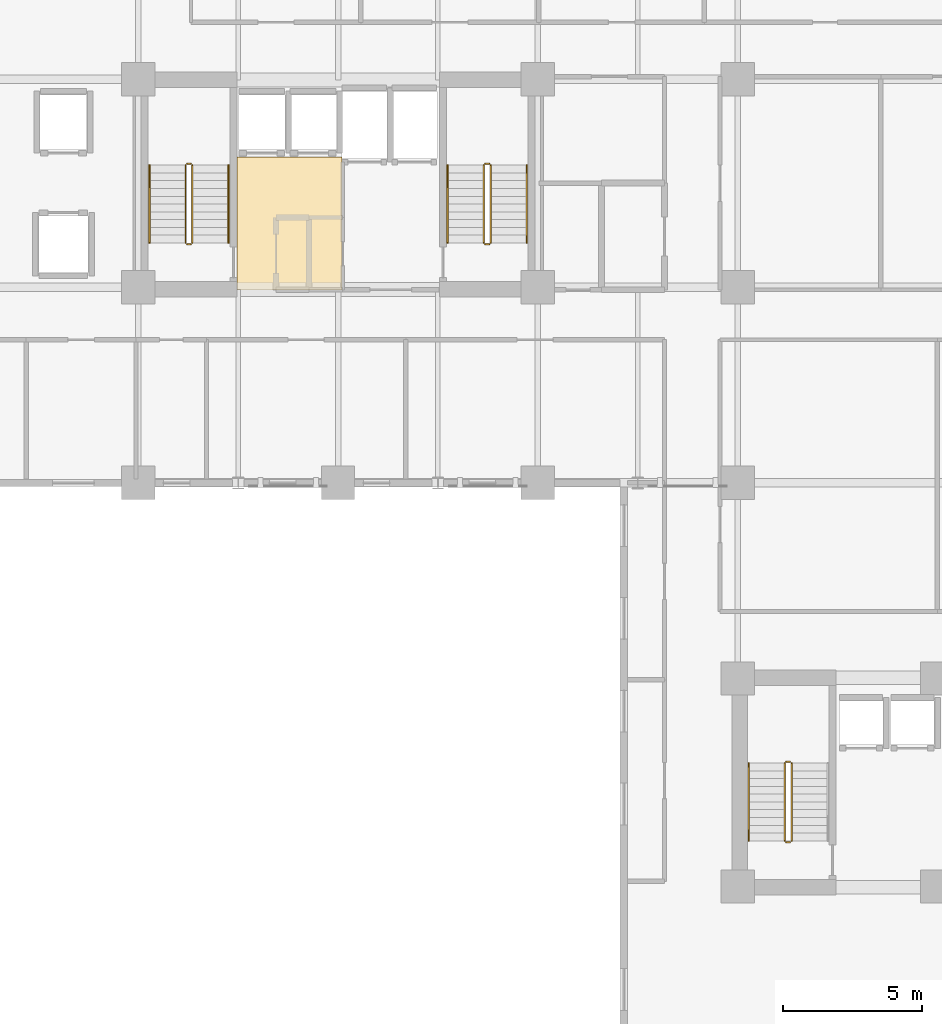
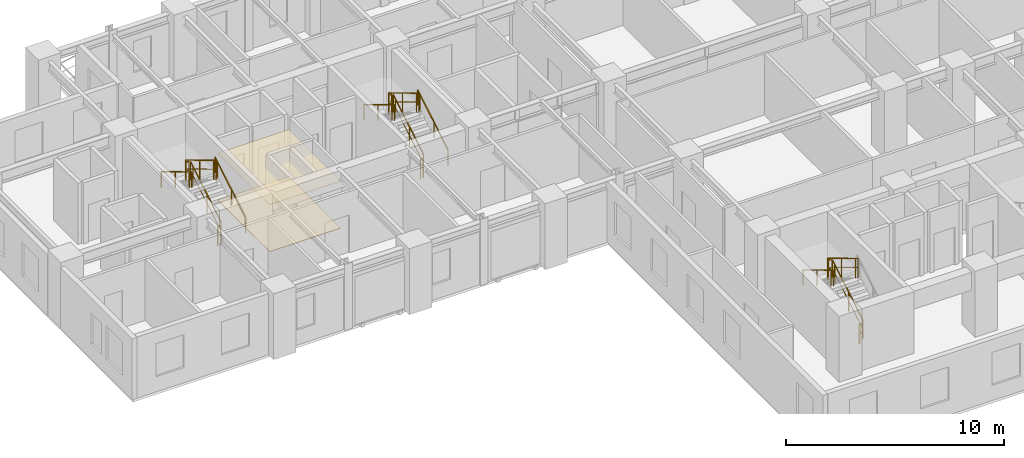
# One storey, part 9 of 11: 17 railings, 2 coverings.
"""IFC4 building model written with IfcOpenShell, lengths in metres."""

from ifc_helpers import new_model, si_unit, direction, frame, origin, origin_2d, place, context, subcontext, project, spatial, rectangle, extrude, source, transform, mapped, material, layer, layer_set, type_object, element, save


model = new_model("IFC4")

# Units and contexts
model_context = context("Model", 3, precision=1e-05, world=origin(), true_north=direction((0.0, 1.0)))
body_context = subcontext(model_context, "Body", "Model", "MODEL_VIEW")
ifc_project = project(units=[si_unit("LENGTHUNIT", "METRE"), si_unit("AREAUNIT", "SQUARE_METRE"), si_unit("VOLUMEUNIT", "CUBIC_METRE"), si_unit("PLANEANGLEUNIT", "RADIAN"), si_unit("MASSUNIT", "GRAM", prefix="KILO")], contexts=[model_context])

# Site, building, storey
site_placement = place(None, origin())
site = spatial("IfcSite", under=ifc_project, at=site_placement, CompositionType="ELEMENT")
building_placement = place(site_placement, origin())
building = spatial("IfcBuilding", under=site, at=building_placement, Name="Kaliganga Portal Commons", CompositionType="ELEMENT")
storey_placement = place(building_placement, frame((0.0, 0.0, 111.89990234375)))
storey = spatial("IfcBuildingStorey", under=building, at=storey_placement, Name="L28", CompositionType="ELEMENT", Elevation=111.89990234375)

# Railings
ifc_material_1 = material(Name="Galvanized Painted Steel Balustrade", Category="steel")
railing_type_1 = type_object("IfcRailingType", Name="RLG-STAIR-GRD", PredefinedType="GUARDRAIL", material=ifc_material_1)
railing_1_placement = place(storey_placement, frame((16.35009765625, 30.25, 0.168212890625)))
element("IfcRailing", 1, at=railing_1_placement, inside=storey, type_object=railing_type_1, Name="L28 ST-A1 stair guard 1", PredefinedType="GUARDRAIL", context=body_context, shape_type="SweptSolid", body=[
    extrude(rectangle(XDim=0.048095703125, YDim=0.048095703125, at=origin_2d()), frame((0.0, 0.0, 1.072021484375), z_axis=(0.0, 0.857242210791, 0.514913383045), x_axis=(-1.0, 0.0, 0.0)), (0.0, 0.0, 1.0), 3.266357421875),
    extrude(rectangle(XDim=0.028076171875, YDim=0.028076171875, at=origin_2d()), frame((0.0, 0.0, 0.572021484375), z_axis=(0.0, 0.857242210791, 0.514913383045), x_axis=(-1.0, 0.0, 0.0)), (0.0, 0.0, 1.0), 3.266357421875),
    extrude(rectangle(XDim=0.0419921875, YDim=0.0419921875, at=origin_2d()), origin(), (0.0, 0.0, 1.0), 1.052001953125),
    extrude(rectangle(XDim=0.0419921875, YDim=0.0419921875, at=origin_2d()), frame((0.0, 1.285888671875, 0.7724609375)), (0.0, 0.0, 1.0), 1.052001953125),
    extrude(rectangle(XDim=0.0419921875, YDim=0.0419921875, at=origin_2d()), frame((0.0, 2.57177734375, 1.544677734375)), (0.0, 0.0, 1.0), 1.052001953125),
    extrude(rectangle(XDim=0.0419921875, YDim=0.0419921875, at=origin_2d()), frame((0.0, 2.800048828125, 1.681884765625)), (0.0, 0.0, 1.0), 1.052001953125),
])
railing_2_placement = place(storey_placement, frame((16.300048828125, 33.10009765625, 1.85009765625)))
element("IfcRailing", 2, at=railing_2_placement, inside=storey, type_object=railing_type_1, Name="L28 ST-A1 stair guard 2", PredefinedType="GUARDRAIL", context=body_context, shape_type="SweptSolid", body=[
    extrude(rectangle(XDim=0.048095703125, YDim=0.048095703125, at=origin_2d()), frame((0.0, 0.0, 1.076171875), z_axis=(-1.0, 0.0, 0.0), x_axis=(0.0, -1.0, 0.0)), (0.0, 0.0, 1.0), 0.150146484375),
    extrude(rectangle(XDim=0.028076171875, YDim=0.028076171875, at=origin_2d()), frame((0.0, 0.0, 0.572021484375), z_axis=(-1.0, 0.0, 0.0), x_axis=(0.0, -1.0, 0.0)), (0.0, 0.0, 1.0), 0.150146484375),
    extrude(rectangle(XDim=0.0419921875, YDim=0.0419921875, at=origin_2d()), origin(), (0.0, 0.0, 1.0), 1.052001953125),
    extrude(rectangle(XDim=0.0419921875, YDim=0.0419921875, at=origin_2d()), frame((-0.150146484375, 0.0, 0.0)), (0.0, 0.0, 1.0), 1.052001953125),
])
railing_3_placement = place(storey_placement, frame((16.10009765625, 33.050048828125, 2.018310546875)))
element("IfcRailing", 3, at=railing_3_placement, inside=storey, type_object=railing_type_1, Name="L28 ST-A1 stair guard 3", PredefinedType="GUARDRAIL", context=body_context, shape_type="SweptSolid", body=[
    extrude(rectangle(XDim=0.048095703125, YDim=0.048095703125, at=origin_2d()), frame((0.0, 0.0, 1.072021484375), z_axis=(0.0, -0.857242210791, 0.514913383045), x_axis=(1.0, 0.0, 0.0)), (0.0, 0.0, 1.0), 3.266357421875),
    extrude(rectangle(XDim=0.028076171875, YDim=0.028076171875, at=origin_2d()), frame((0.0, 0.0, 0.572021484375), z_axis=(0.0, -0.857242210791, 0.514913383045), x_axis=(1.0, 0.0, 0.0)), (0.0, 0.0, 1.0), 3.266357421875),
    extrude(rectangle(XDim=0.0419921875, YDim=0.0419921875, at=origin_2d()), origin(), (0.0, 0.0, 1.0), 1.052001953125),
    extrude(rectangle(XDim=0.0419921875, YDim=0.0419921875, at=origin_2d()), frame((0.0, -1.285888671875, 0.7724609375)), (0.0, 0.0, 1.0), 1.052001953125),
    extrude(rectangle(XDim=0.0419921875, YDim=0.0419921875, at=origin_2d()), frame((0.0, -2.57177734375, 1.544677734375)), (0.0, 0.0, 1.0), 1.052001953125),
    extrude(rectangle(XDim=0.0419921875, YDim=0.0419921875, at=origin_2d()), frame((0.0, -2.800048828125, 1.681884765625)), (0.0, 0.0, 1.0), 1.052001953125),
])
railing_4_placement = place(storey_placement, frame((16.300048828125, 30.199951171875, 0.0)))
element("IfcRailing", 4, at=railing_4_placement, inside=storey, type_object=railing_type_1, Name="L28 ST-A1 stair guard 4", PredefinedType="GUARDRAIL", context=body_context, shape_type="SweptSolid", body=[
    extrude(rectangle(XDim=0.048095703125, YDim=0.048095703125, at=origin_2d()), frame((0.0, 0.0, 1.076171875), z_axis=(-1.0, 0.0, 0.0), x_axis=(0.0, -1.0, 0.0)), (0.0, 0.0, 1.0), 0.150146484375),
    extrude(rectangle(XDim=0.028076171875, YDim=0.028076171875, at=origin_2d()), frame((0.0, 0.0, 0.572021484375), z_axis=(-1.0, 0.0, 0.0), x_axis=(0.0, -1.0, 0.0)), (0.0, 0.0, 1.0), 0.150146484375),
    extrude(rectangle(XDim=0.0419921875, YDim=0.0419921875, at=origin_2d()), origin(), (0.0, 0.0, 1.0), 1.052001953125),
    extrude(rectangle(XDim=0.0419921875, YDim=0.0419921875, at=origin_2d()), frame((-0.150146484375, 0.0, 0.0)), (0.0, 0.0, 1.0), 1.052001953125),
])
railing_5_placement = place(storey_placement, frame((27.10009765625, 30.25, 0.168212890625)))
element("IfcRailing", 5, at=railing_5_placement, inside=storey, type_object=railing_type_1, Name="L28 ST-A2 stair guard 1", PredefinedType="GUARDRAIL", context=body_context, shape_type="SweptSolid", body=[
    extrude(rectangle(XDim=0.048095703125, YDim=0.048095703125, at=origin_2d()), frame((0.0, 0.0, 1.072021484375), z_axis=(0.0, 0.857242210791, 0.514913383045), x_axis=(-1.0, 0.0, 0.0)), (0.0, 0.0, 1.0), 3.266357421875),
    extrude(rectangle(XDim=0.028076171875, YDim=0.028076171875, at=origin_2d()), frame((0.0, 0.0, 0.572021484375), z_axis=(0.0, 0.857242210791, 0.514913383045), x_axis=(-1.0, 0.0, 0.0)), (0.0, 0.0, 1.0), 3.266357421875),
    extrude(rectangle(XDim=0.0419921875, YDim=0.0419921875, at=origin_2d()), origin(), (0.0, 0.0, 1.0), 1.052001953125),
    extrude(rectangle(XDim=0.0419921875, YDim=0.0419921875, at=origin_2d()), frame((0.0, 1.285888671875, 0.7724609375)), (0.0, 0.0, 1.0), 1.052001953125),
    extrude(rectangle(XDim=0.0419921875, YDim=0.0419921875, at=origin_2d()), frame((0.0, 2.57177734375, 1.544677734375)), (0.0, 0.0, 1.0), 1.052001953125),
    extrude(rectangle(XDim=0.0419921875, YDim=0.0419921875, at=origin_2d()), frame((0.0, 2.800048828125, 1.681884765625)), (0.0, 0.0, 1.0), 1.052001953125),
])
railing_6_placement = place(storey_placement, frame((27.050048828125, 33.10009765625, 1.85009765625)))
element("IfcRailing", 6, at=railing_6_placement, inside=storey, type_object=railing_type_1, Name="L28 ST-A2 stair guard 2", PredefinedType="GUARDRAIL", context=body_context, shape_type="SweptSolid", body=[
    extrude(rectangle(XDim=0.048095703125, YDim=0.048095703125, at=origin_2d()), frame((0.0, 0.0, 1.076171875), z_axis=(-1.0, 0.0, 0.0), x_axis=(0.0, -1.0, 0.0)), (0.0, 0.0, 1.0), 0.150146484375),
    extrude(rectangle(XDim=0.028076171875, YDim=0.028076171875, at=origin_2d()), frame((0.0, 0.0, 0.572021484375), z_axis=(-1.0, 0.0, 0.0), x_axis=(0.0, -1.0, 0.0)), (0.0, 0.0, 1.0), 0.150146484375),
    extrude(rectangle(XDim=0.0419921875, YDim=0.0419921875, at=origin_2d()), origin(), (0.0, 0.0, 1.0), 1.052001953125),
    extrude(rectangle(XDim=0.0419921875, YDim=0.0419921875, at=origin_2d()), frame((-0.150146484375, 0.0, 0.0)), (0.0, 0.0, 1.0), 1.052001953125),
])
railing_7_placement = place(storey_placement, frame((26.85009765625, 33.050048828125, 2.018310546875)))
element("IfcRailing", 7, at=railing_7_placement, inside=storey, type_object=railing_type_1, Name="L28 ST-A2 stair guard 3", PredefinedType="GUARDRAIL", context=body_context, shape_type="SweptSolid", body=[
    extrude(rectangle(XDim=0.048095703125, YDim=0.048095703125, at=origin_2d()), frame((0.0, 0.0, 1.072021484375), z_axis=(0.0, -0.857242210791, 0.514913383045), x_axis=(1.0, 0.0, 0.0)), (0.0, 0.0, 1.0), 3.266357421875),
    extrude(rectangle(XDim=0.028076171875, YDim=0.028076171875, at=origin_2d()), frame((0.0, 0.0, 0.572021484375), z_axis=(0.0, -0.857242210791, 0.514913383045), x_axis=(1.0, 0.0, 0.0)), (0.0, 0.0, 1.0), 3.266357421875),
    extrude(rectangle(XDim=0.0419921875, YDim=0.0419921875, at=origin_2d()), origin(), (0.0, 0.0, 1.0), 1.052001953125),
    extrude(rectangle(XDim=0.0419921875, YDim=0.0419921875, at=origin_2d()), frame((0.0, -1.285888671875, 0.7724609375)), (0.0, 0.0, 1.0), 1.052001953125),
    extrude(rectangle(XDim=0.0419921875, YDim=0.0419921875, at=origin_2d()), frame((0.0, -2.57177734375, 1.544677734375)), (0.0, 0.0, 1.0), 1.052001953125),
    extrude(rectangle(XDim=0.0419921875, YDim=0.0419921875, at=origin_2d()), frame((0.0, -2.800048828125, 1.681884765625)), (0.0, 0.0, 1.0), 1.052001953125),
])
railing_8_placement = place(storey_placement, frame((27.050048828125, 30.199951171875, 0.0)))
element("IfcRailing", 8, at=railing_8_placement, inside=storey, type_object=railing_type_1, Name="L28 ST-A2 stair guard 4", PredefinedType="GUARDRAIL", context=body_context, shape_type="SweptSolid", body=[
    extrude(rectangle(XDim=0.048095703125, YDim=0.048095703125, at=origin_2d()), frame((0.0, 0.0, 1.076171875), z_axis=(-1.0, 0.0, 0.0), x_axis=(0.0, -1.0, 0.0)), (0.0, 0.0, 1.0), 0.150146484375),
    extrude(rectangle(XDim=0.028076171875, YDim=0.028076171875, at=origin_2d()), frame((0.0, 0.0, 0.572021484375), z_axis=(-1.0, 0.0, 0.0), x_axis=(0.0, -1.0, 0.0)), (0.0, 0.0, 1.0), 0.150146484375),
    extrude(rectangle(XDim=0.0419921875, YDim=0.0419921875, at=origin_2d()), origin(), (0.0, 0.0, 1.0), 1.052001953125),
    extrude(rectangle(XDim=0.0419921875, YDim=0.0419921875, at=origin_2d()), frame((-0.150146484375, 0.0, 0.0)), (0.0, 0.0, 1.0), 1.052001953125),
])
railing_9_placement = place(storey_placement, frame((37.949951171875, 8.699951171875, 0.168212890625)))
element("IfcRailing", 9, at=railing_9_placement, inside=storey, type_object=railing_type_1, Name="L28 ST-B1 stair guard 1", PredefinedType="GUARDRAIL", context=body_context, shape_type="SweptSolid", body=[
    extrude(rectangle(XDim=0.048095703125, YDim=0.048095703125, at=origin_2d()), frame((0.0, 0.0, 1.072021484375), z_axis=(0.0, 0.857242210791, 0.514913383045), x_axis=(-1.0, 0.0, 0.0)), (0.0, 0.0, 1.0), 3.266357421875),
    extrude(rectangle(XDim=0.028076171875, YDim=0.028076171875, at=origin_2d()), frame((0.0, 0.0, 0.572021484375), z_axis=(0.0, 0.857242210791, 0.514913383045), x_axis=(-1.0, 0.0, 0.0)), (0.0, 0.0, 1.0), 3.266357421875),
    extrude(rectangle(XDim=0.0419921875, YDim=0.0419921875, at=origin_2d()), origin(), (0.0, 0.0, 1.0), 1.052001953125),
    extrude(rectangle(XDim=0.0419921875, YDim=0.0419921875, at=origin_2d()), frame((0.0, 1.285888671875, 0.7724609375)), (0.0, 0.0, 1.0), 1.052001953125),
    extrude(rectangle(XDim=0.0419921875, YDim=0.0419921875, at=origin_2d()), frame((0.0, 2.57177734375, 1.544677734375)), (0.0, 0.0, 1.0), 1.052001953125),
    extrude(rectangle(XDim=0.0419921875, YDim=0.0419921875, at=origin_2d()), frame((0.0, 2.800048828125, 1.681884765625)), (0.0, 0.0, 1.0), 1.052001953125),
])
railing_10_placement = place(storey_placement, frame((37.89990234375, 11.550048828125, 1.85009765625)))
element("IfcRailing", 10, at=railing_10_placement, inside=storey, type_object=railing_type_1, Name="L28 ST-B1 stair guard 2", PredefinedType="GUARDRAIL", context=body_context, shape_type="SweptSolid", body=[
    extrude(rectangle(XDim=0.048095703125, YDim=0.048095703125, at=origin_2d()), frame((0.0, 0.0, 1.076171875), z_axis=(-1.0, 0.0, 0.0), x_axis=(0.0, -1.0, 0.0)), (0.0, 0.0, 1.0), 0.14990234375),
    extrude(rectangle(XDim=0.028076171875, YDim=0.028076171875, at=origin_2d()), frame((0.0, 0.0, 0.572021484375), z_axis=(-1.0, 0.0, 0.0), x_axis=(0.0, -1.0, 0.0)), (0.0, 0.0, 1.0), 0.14990234375),
    extrude(rectangle(XDim=0.0419921875, YDim=0.0419921875, at=origin_2d()), frame((-0.14990234375, 0.0, 0.0)), (0.0, 0.0, 1.0), 1.052001953125),
])
railing_11_placement = place(storey_placement, frame((37.699951171875, 11.5, 2.018310546875)))
element("IfcRailing", 11, at=railing_11_placement, inside=storey, type_object=railing_type_1, Name="L28 ST-B1 stair guard 3", PredefinedType="GUARDRAIL", context=body_context, shape_type="SweptSolid", body=[
    extrude(rectangle(XDim=0.048095703125, YDim=0.048095703125, at=origin_2d()), frame((0.0, 0.0, 1.072021484375), z_axis=(0.0, -0.857242210791, 0.514913383045), x_axis=(1.0, 0.0, 0.0)), (0.0, 0.0, 1.0), 3.266357421875),
    extrude(rectangle(XDim=0.028076171875, YDim=0.028076171875, at=origin_2d()), frame((0.0, 0.0, 0.572021484375), z_axis=(0.0, -0.857242210791, 0.514913383045), x_axis=(1.0, 0.0, 0.0)), (0.0, 0.0, 1.0), 3.266357421875),
    extrude(rectangle(XDim=0.0419921875, YDim=0.0419921875, at=origin_2d()), origin(), (0.0, 0.0, 1.0), 1.052001953125),
    extrude(rectangle(XDim=0.0419921875, YDim=0.0419921875, at=origin_2d()), frame((0.0, -1.285888671875, 0.7724609375)), (0.0, 0.0, 1.0), 1.052001953125),
    extrude(rectangle(XDim=0.0419921875, YDim=0.0419921875, at=origin_2d()), frame((0.0, -2.57177734375, 1.544677734375)), (0.0, 0.0, 1.0), 1.052001953125),
    extrude(rectangle(XDim=0.0419921875, YDim=0.0419921875, at=origin_2d()), frame((0.0, -2.800048828125, 1.681884765625)), (0.0, 0.0, 1.0), 1.052001953125),
])
railing_12_placement = place(storey_placement, frame((37.89990234375, 8.64990234375, 0.0)))
element("IfcRailing", 12, at=railing_12_placement, inside=storey, type_object=railing_type_1, Name="L28 ST-B1 stair guard 4", PredefinedType="GUARDRAIL", context=body_context, shape_type="SweptSolid", body=[
    extrude(rectangle(XDim=0.048095703125, YDim=0.048095703125, at=origin_2d()), frame((0.0, 0.0, 1.076171875), z_axis=(-1.0, 0.0, 0.0), x_axis=(0.0, -1.0, 0.0)), (0.0, 0.0, 1.0), 0.14990234375),
    extrude(rectangle(XDim=0.028076171875, YDim=0.028076171875, at=origin_2d()), frame((0.0, 0.0, 0.572021484375), z_axis=(-1.0, 0.0, 0.0), x_axis=(0.0, -1.0, 0.0)), (0.0, 0.0, 1.0), 0.14990234375),
    extrude(rectangle(XDim=0.0419921875, YDim=0.0419921875, at=origin_2d()), frame((-0.14990234375, 0.0, 0.0)), (0.0, 0.0, 1.0), 1.052001953125),
])
ifc_material_2 = material(Name="Brushed Stainless Steel 316", Category="steel")
railing_type_2 = type_object("IfcRailingType", Name="RLG-STAIR-HR", PredefinedType="HANDRAIL", material=ifc_material_2)
railing_13_placement = place(storey_placement, frame((17.64990234375, 30.25, 0.168212890625)))
element("IfcRailing", 13, at=railing_13_placement, inside=storey, type_object=railing_type_2, Name="L28 ST-A1 stair handrail 1", PredefinedType="HANDRAIL", context=body_context, shape_type="SweptSolid", body=[
    extrude(rectangle(XDim=0.048095703125, YDim=0.048095703125, at=origin_2d()), frame((0.0, 0.0, 0.871826171875), z_axis=(0.0, 0.857242210791, 0.514913383045), x_axis=(-1.0, 0.0, 0.0)), (0.0, 0.0, 1.0), 3.266357421875),
    extrude(rectangle(XDim=0.0419921875, YDim=0.0419921875, at=origin_2d()), origin(), (0.0, 0.0, 1.0), 0.851806640625),
    extrude(rectangle(XDim=0.0419921875, YDim=0.0419921875, at=origin_2d()), frame((0.0, 1.285888671875, 0.7724609375)), (0.0, 0.0, 1.0), 0.851806640625),
    extrude(rectangle(XDim=0.0419921875, YDim=0.0419921875, at=origin_2d()), frame((0.0, 2.57177734375, 1.544677734375)), (0.0, 0.0, 1.0), 0.851806640625),
    extrude(rectangle(XDim=0.0419921875, YDim=0.0419921875, at=origin_2d()), frame((0.0, 2.800048828125, 1.681884765625)), (0.0, 0.0, 1.0), 0.851806640625),
])
railing_14_placement = place(storey_placement, frame((14.800048828125, 33.050048828125, 2.018310546875)))
element("IfcRailing", 14, at=railing_14_placement, inside=storey, type_object=railing_type_2, Name="L28 ST-A1 stair handrail 2", PredefinedType="HANDRAIL", context=body_context, shape_type="SweptSolid", body=[
    extrude(rectangle(XDim=0.048095703125, YDim=0.048095703125, at=origin_2d()), frame((0.0, 0.0, 0.871826171875), z_axis=(0.0, -0.857242210791, 0.514913383045), x_axis=(1.0, 0.0, 0.0)), (0.0, 0.0, 1.0), 3.266357421875),
    extrude(rectangle(XDim=0.0419921875, YDim=0.0419921875, at=origin_2d()), origin(), (0.0, 0.0, 1.0), 0.851806640625),
    extrude(rectangle(XDim=0.0419921875, YDim=0.0419921875, at=origin_2d()), frame((0.0, -1.285888671875, 0.7724609375)), (0.0, 0.0, 1.0), 0.851806640625),
    extrude(rectangle(XDim=0.0419921875, YDim=0.0419921875, at=origin_2d()), frame((0.0, -2.57177734375, 1.544677734375)), (0.0, 0.0, 1.0), 0.851806640625),
    extrude(rectangle(XDim=0.0419921875, YDim=0.0419921875, at=origin_2d()), frame((0.0, -2.800048828125, 1.681884765625)), (0.0, 0.0, 1.0), 0.851806640625),
])
railing_15_placement = place(storey_placement, frame((28.39990234375, 30.25, 0.168212890625)))
element("IfcRailing", 15, at=railing_15_placement, inside=storey, type_object=railing_type_2, Name="L28 ST-A2 stair handrail 1", PredefinedType="HANDRAIL", context=body_context, shape_type="SweptSolid", body=[
    extrude(rectangle(XDim=0.048095703125, YDim=0.048095703125, at=origin_2d()), frame((0.0, 0.0, 0.871826171875), z_axis=(0.0, 0.857242210791, 0.514913383045), x_axis=(-1.0, 0.0, 0.0)), (0.0, 0.0, 1.0), 3.266357421875),
    extrude(rectangle(XDim=0.0419921875, YDim=0.0419921875, at=origin_2d()), origin(), (0.0, 0.0, 1.0), 0.851806640625),
    extrude(rectangle(XDim=0.0419921875, YDim=0.0419921875, at=origin_2d()), frame((0.0, 1.285888671875, 0.7724609375)), (0.0, 0.0, 1.0), 0.851806640625),
    extrude(rectangle(XDim=0.0419921875, YDim=0.0419921875, at=origin_2d()), frame((0.0, 2.57177734375, 1.544677734375)), (0.0, 0.0, 1.0), 0.851806640625),
    extrude(rectangle(XDim=0.0419921875, YDim=0.0419921875, at=origin_2d()), frame((0.0, 2.800048828125, 1.681884765625)), (0.0, 0.0, 1.0), 0.851806640625),
])
for number, where, name in (
    (16, (25.550048828125, 33.050048828125, 2.018310546875), "L28 ST-A2 stair handrail 2"),
    (17, (36.39990234375, 11.5, 2.018310546875), "L28 ST-B1 stair handrail 2"),
):
    element("IfcRailing", number, at=place(storey_placement, frame(where)), inside=storey, type_object=railing_type_2, Name=name, PredefinedType="HANDRAIL", context=body_context, shape_type="SweptSolid", body=[
        extrude(rectangle(XDim=0.048095703125, YDim=0.048095703125, at=origin_2d()), frame((0.0, 0.0, 0.871826171875), z_axis=(0.0, -0.857242210791, 0.514913383045), x_axis=(1.0, 0.0, 0.0)), (0.0, 0.0, 1.0), 3.266357421875),
        extrude(rectangle(XDim=0.0419921875, YDim=0.0419921875, at=origin_2d()), origin(), (0.0, 0.0, 1.0), 0.851806640625),
        extrude(rectangle(XDim=0.0419921875, YDim=0.0419921875, at=origin_2d()), frame((0.0, -1.285888671875, 0.7724609375)), (0.0, 0.0, 1.0), 0.851806640625),
        extrude(rectangle(XDim=0.0419921875, YDim=0.0419921875, at=origin_2d()), frame((0.0, -2.57177734375, 1.544677734375)), (0.0, 0.0, 1.0), 0.851806640625),
        extrude(rectangle(XDim=0.0419921875, YDim=0.0419921875, at=origin_2d()), frame((0.0, -2.800048828125, 1.681884765625)), (0.0, 0.0, 1.0), 0.851806640625),
    ])

# Coverings
ifc_material_3 = material(Name="Acoustic Micro-Perforated Gypsum Ceiling", Category="gypsum")
ifc_layer_1 = layer(ifc_material_3, 0.02001953125)
ifc_layer_set_1 = layer_set([ifc_layer_1], Name="Acoustic Micro-Perforated Gypsum Ceiling")
covering_type_1 = type_object("IfcCoveringType", Name="COV-CEIL-GYP", PredefinedType="CEILING", material=ifc_layer_set_1)
shared_shape_1 = source(origin(), body_context, "Body", "SweptSolid", [
    extrude(rectangle(XDim=3.780029296875, YDim=4.780029296875, at=origin_2d()), origin(), (0.0, 0.0, 1.0), 0.02001953125),
])
covering_1_placement = place(storey_placement, frame((19.85009765625, 30.949951171875, 2.64013671875), z_axis=(0.0, 0.0, 1.0), x_axis=(1.0, 0.0, 0.0)))
element("IfcCovering", 18, at=covering_1_placement, inside=storey, type_object=covering_type_1, Name="Acoustic Ceiling L28 PLOB_A", PredefinedType="CEILING", context=body_context, shape_type="MappedRepresentation", body=[
    mapped(shared_shape_1, transform((0.0, 0.0, 0.0), x_axis=(1.0, 0.0, 0.0), y_axis=(0.0, 1.0, 0.0), z_axis=(0.0, 0.0, 1.0), scale=1.0)),
])
ifc_material_4 = material(Name="Polished Sylhet Stone Terrazzo Flooring", Category="masonry")
ifc_layer_2 = layer(ifc_material_4, 0.02490234375)
ifc_layer_set_2 = layer_set([ifc_layer_2], Name="Polished Sylhet Stone Terrazzo Flooring")
covering_type_2 = type_object("IfcCoveringType", Name="COV-FLR-TERRAZZO", PredefinedType="FLOORING", material=ifc_layer_set_2)
shared_shape_2 = source(origin(), body_context, "Body", "SweptSolid", [
    extrude(rectangle(XDim=3.780029296875, YDim=4.780029296875, at=origin_2d()), origin(), (0.0, 0.0, 1.0), 0.02490234375),
])
covering_2_placement = place(storey_placement, frame((19.85009765625, 30.949951171875, 0.000732421875), z_axis=(0.0, 0.0, 1.0), x_axis=(1.0, 0.0, 0.0)))
element("IfcCovering", 19, at=covering_2_placement, inside=storey, type_object=covering_type_2, Name="Terrazzo Flooring L28 PLOB_A", PredefinedType="FLOORING", context=body_context, shape_type="MappedRepresentation", body=[
    mapped(shared_shape_2, transform((0.0, 0.0, 0.0), x_axis=(1.0, 0.0, 0.0), y_axis=(0.0, 1.0, 0.0), z_axis=(0.0, 0.0, 1.0), scale=1.0)),
])

save(model, "model.ifc")
